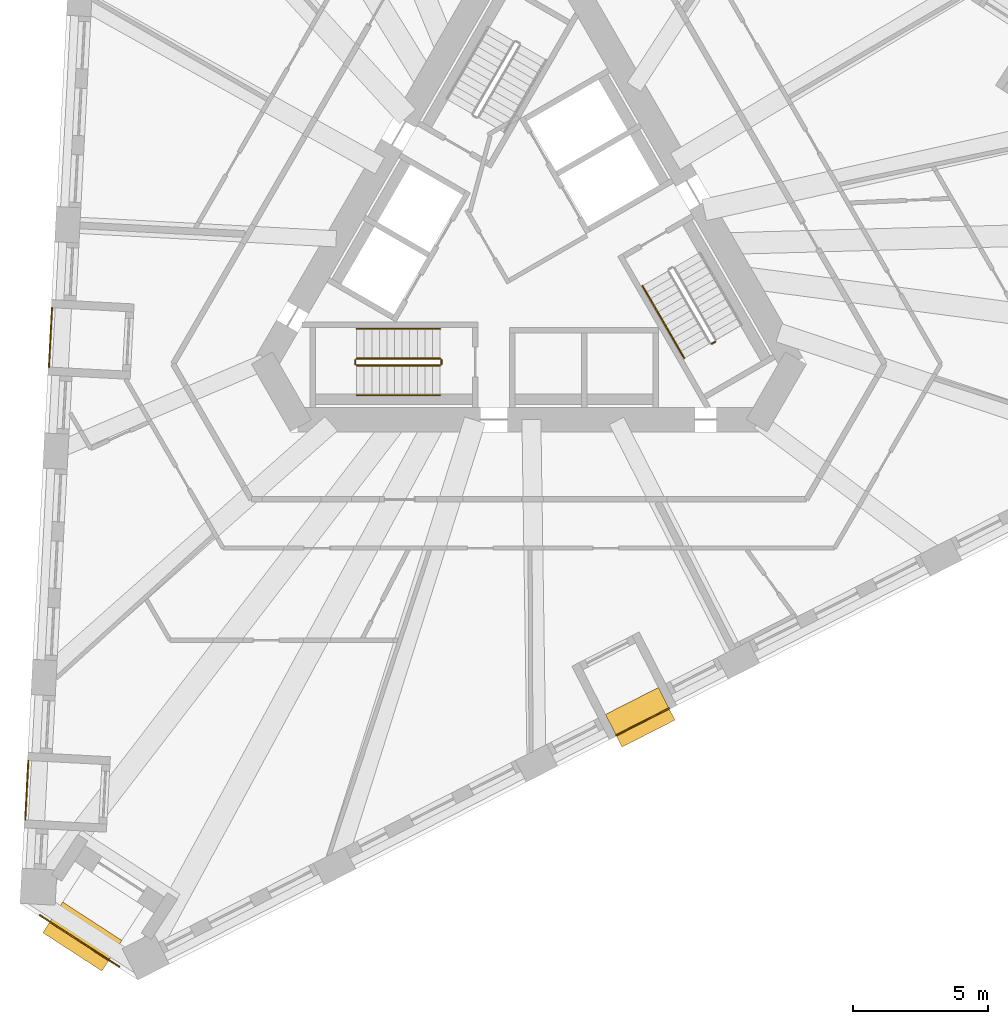
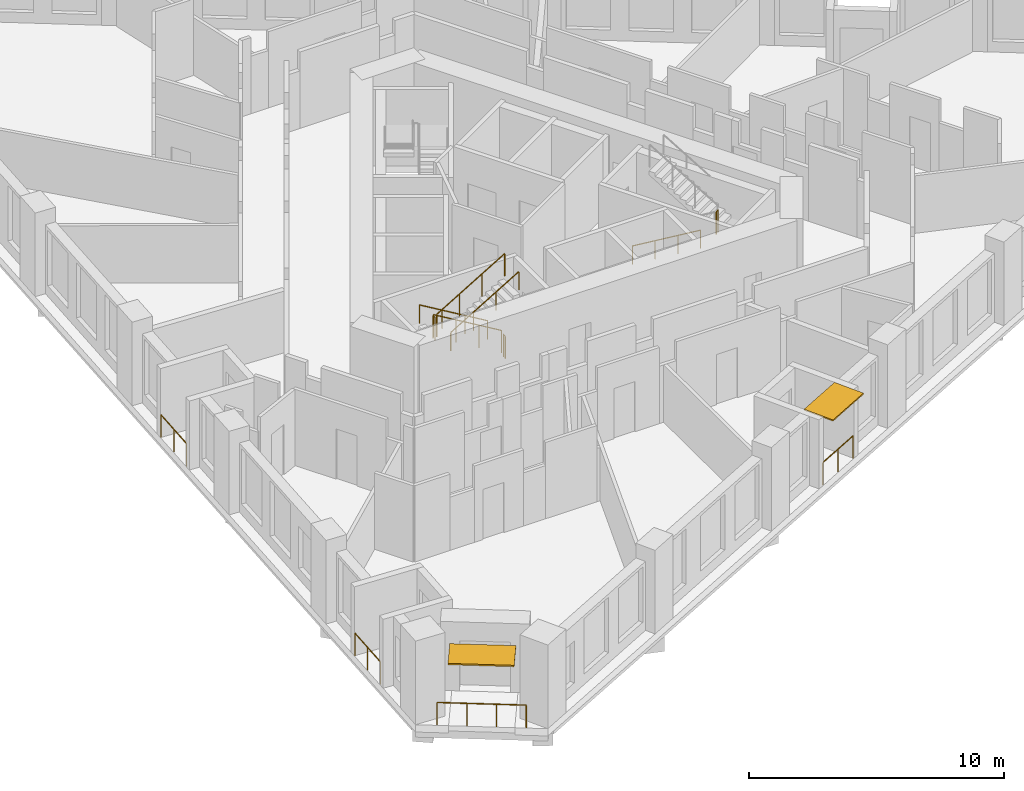
# One storey, part 9 of 12: 12 railings, 2 shading devices.
"""IFC4 building model written with IfcOpenShell, lengths in metres."""

import ifcopenshell
import ifcopenshell.guid

model = None  # the IFC model being written
_history = None  # IfcOwnerHistory: only IFC2X3 demands one
_inside = {}  # id of a spatial element -> (the spatial element, [elements in it])
_under = {}  # id of a project, library or spatial element -> (it, [spatial elements below it])
_declared = {}  # id of a project -> (the project, [libraries it declares])
_typed = {}  # id of a type object -> (the type object, [elements of that type])
_made_of = {}  # id of a material, layer set ... -> (it, [elements and type objects made of it])


def new_model(schema):
    """Start an empty IFC model of exactly this schema.

    Asked for "IFC4X3", IfcOpenShell would pick the latest addendum, in which some entities
    have other attributes; the version numbers below select the first issue.
    IFC2X3 requires an IfcOwnerHistory on every rooted entity: one is made here for all.
    """
    global model, _history
    if schema == "IFC4X3":
        model = ifcopenshell.file(schema_version=(4, 3, 0, 0))
    else:
        model = ifcopenshell.file(schema=schema)
    _inside.clear()
    _under.clear()
    _declared.clear()
    _typed.clear()
    _made_of.clear()
    _history = None
    if model.schema == "IFC2X3":
        org = make("IfcOrganization", Name="unknown")
        user = make(
            "IfcPersonAndOrganization",
            ThePerson=make("IfcPerson", FamilyName="unknown"),
            TheOrganization=org,
        )
        app = make(
            "IfcApplication",
            ApplicationDeveloper=org,
            Version="unknown",
            ApplicationFullName="unknown",
            ApplicationIdentifier="unknown",
        )
        _history = make(
            "IfcOwnerHistory",
            OwningUser=user,
            OwningApplication=app,
            ChangeAction="ADDED",
            CreationDate=0,
        )
    return model


def make(cls, **values):
    """One entity of the class cls with the attributes given. An attribute that is None is left unset."""
    return model.create_entity(
        cls, **{name: value for name, value in values.items() if value is not None}
    )


def rooted(cls, **values):
    """An entity with a GlobalId (a new one), such as an element, a storey or a relation."""
    return make(cls, GlobalId=ifcopenshell.guid.new(), OwnerHistory=_history, **values)


def si_unit(unit_type, name, prefix=None):
    """IfcSIUnit, for example si_unit("LENGTHUNIT", "METRE", prefix="MILLI")."""
    return make("IfcSIUnit", UnitType=unit_type, Prefix=prefix, Name=name)


def assignment(units):
    """IfcUnitAssignment: the units of a project."""
    return None if units is None else make("IfcUnitAssignment", Units=units)


def point(xyz):
    """IfcCartesianPoint."""
    return None if xyz is None else make("IfcCartesianPoint", Coordinates=xyz)


def direction(xyz):
    """IfcDirection."""
    return None if xyz is None else make("IfcDirection", DirectionRatios=xyz)


def frame(location, z_axis=None, x_axis=None):
    """IfcAxis2Placement3D, a coordinate frame: its origin and axes. An axis left out is left unset."""
    return make(
        "IfcAxis2Placement3D",
        Location=point(location),
        Axis=direction(z_axis),
        RefDirection=direction(x_axis),
    )


def frame_2d(location, x_axis=None):
    """IfcAxis2Placement2D, a coordinate frame in the plane: its origin and x axis."""
    return make(
        "IfcAxis2Placement2D", Location=point(location), RefDirection=direction(x_axis)
    )


def origin():
    """The frame at (0, 0, 0) with its axes left unset."""
    return frame((0.0, 0.0, 0.0))


def origin_2d():
    """The frame at (0, 0) in the plane with its x axis left unset."""
    return frame_2d((0.0, 0.0))


def place(relative_to, where):
    """IfcLocalPlacement: puts the frame where relative to a parent placement (None: the world)."""
    return make(
        "IfcLocalPlacement", PlacementRelTo=relative_to, RelativePlacement=where
    )


def context(
    kind, dimensions, precision=None, world=None, true_north=None, identifier=None
):
    """IfcGeometricRepresentationContext, for example the 3D "Model" context."""
    return make(
        "IfcGeometricRepresentationContext",
        ContextIdentifier=identifier,
        ContextType=kind,
        CoordinateSpaceDimension=dimensions,
        Precision=precision,
        WorldCoordinateSystem=world,
        TrueNorth=true_north,
    )


def subcontext(parent, identifier, kind, view, scale=None):
    """IfcGeometricRepresentationSubContext, for example "Body" below "Model"."""
    return make(
        "IfcGeometricRepresentationSubContext",
        ContextIdentifier=identifier,
        ContextType=kind,
        ParentContext=parent,
        TargetScale=scale,
        TargetView=view,
    )


def project(units=None, contexts=None):
    """IfcProject with its units and contexts."""
    return rooted(
        "IfcProject",
        Name="project",
        RepresentationContexts=contexts,
        UnitsInContext=assignment(units),
    )


def spatial(cls, under=None, at=None, **own):
    """A site, building, storey or space (cls), placed at a placement, below another one or the project."""
    s = rooted(cls, ObjectPlacement=at, **own)
    if under is not None:
        _under.setdefault(under.id(), (under, []))[1].append(s)
    return s


def profile(cls, at=None, kind="AREA", **sizes):
    """A parametric profile (cls). Its sizes go by their IFC names, for example OverallWidth=200.0."""
    return make(cls, ProfileType=kind, Position=at, **sizes)


def rectangle(**sizes):
    """IfcRectangleProfileDef."""
    return profile("IfcRectangleProfileDef", **sizes)


def circle(**sizes):
    """IfcCircleProfileDef."""
    return profile("IfcCircleProfileDef", **sizes)


def extrude(swept, where, along, depth):
    """IfcExtrudedAreaSolid: the profile swept, set in the frame where, extruded along a direction by depth."""
    return make(
        "IfcExtrudedAreaSolid",
        SweptArea=swept,
        Position=where,
        ExtrudedDirection=direction(along),
        Depth=depth,
    )


def shape(context_of_items, identifier, shape_type, items):
    """IfcShapeRepresentation: the items that make up one representation, for example the "Body"."""
    return make(
        "IfcShapeRepresentation",
        ContextOfItems=context_of_items,
        RepresentationIdentifier=identifier,
        RepresentationType=shape_type,
        Items=items,
    )


def material(Name=None, Category=None):
    """IfcMaterial."""
    return make("IfcMaterial", Name=Name, Category=Category)


def layer(
    of_material, thickness, ventilated=None, Name=None, Category=None, Priority=None
):
    """IfcMaterialLayer: one layer of a wall or slab, of a material (None: an air gap)."""
    return make(
        "IfcMaterialLayer",
        Material=of_material,
        LayerThickness=thickness,
        IsVentilated=ventilated,
        Name=Name,
        Category=Category,
        Priority=Priority,
    )


def layer_set(layers, Name=None):
    """IfcMaterialLayerSet."""
    return make("IfcMaterialLayerSet", MaterialLayers=layers, LayerSetName=Name)


def made_of(thing, what):
    """Note that an element or type object is made of a material, layer set ...; save() writes the relation."""
    if what is not None:
        _made_of.setdefault(what.id(), (what, []))[1].append(thing)
    return thing


def type_object(cls, material=None, **own):
    """A type object (cls), such as IfcWallType, which elements share."""
    return made_of(rooted(cls, **own), material)


def element(
    cls,
    number,
    at=None,
    inside=None,
    cuts=None,
    type_object=None,
    material=None,
    context=None,
    identifier="Body",
    shape_type=None,
    held_by="IfcProductDefinitionShape",
    body=None,
    shapes=None,
    **own,
):
    """One element of the class cls, such as IfcWall. Its Tag is "e" and its number.

    at: its placement. inside: the storey or other place that contains it. cuts: it is an
    opening in that element (IfcRelVoidsElement). A single representation is given by context,
    identifier, shape_type and body (its items); several are given by shapes. held_by: the class
    of the entity that holds the representations. save() writes the other relations.
    """
    e = rooted(cls, Tag="e%d" % number, ObjectPlacement=at, **own)
    if body is not None:
        shapes = [shape(context, identifier, shape_type, body)]
    if shapes is not None:
        e.Representation = make(held_by, Representations=shapes)
    if inside is not None:
        _inside.setdefault(inside.id(), (inside, []))[1].append(e)
    if cuts is not None:
        rooted(
            "IfcRelVoidsElement", RelatingBuildingElement=cuts, RelatedOpeningElement=e
        )
    if type_object is not None:
        _typed.setdefault(type_object.id(), (type_object, []))[1].append(e)
    return made_of(e, material)


def aggregate(whole, parts):
    """IfcRelAggregates: a whole, such as a stair, and the parts it consists of."""
    return rooted("IfcRelAggregates", RelatingObject=whole, RelatedObjects=parts)


def save(model, path):
    """Write the relations noted so far, then the file.

    IfcRelAggregates (storeys below a building ...), IfcRelContainedInSpatialStructure (elements
    in a storey), IfcRelDefinesByType, IfcRelAssociatesMaterial and IfcRelDeclares: one each for
    every whole, place, type object, material and project.
    """
    for whole, parts in _under.values():
        aggregate(whole, parts)
    for where, things in _inside.values():
        rooted(
            "IfcRelContainedInSpatialStructure",
            RelatedElements=things,
            RelatingStructure=where,
        )
    for kind, things in _typed.values():
        rooted("IfcRelDefinesByType", RelatedObjects=things, RelatingType=kind)
    for what, things in _made_of.values():
        rooted("IfcRelAssociatesMaterial", RelatedObjects=things, RelatingMaterial=what)
    for by, libraries in _declared.values():
        rooted("IfcRelDeclares", RelatingContext=by, RelatedDefinitions=libraries)
    model.write(path)


model = new_model("IFC4")

# Units and contexts
model_context = context("Model", 3, precision=1e-05, world=origin(), true_north=direction((0.0, 1.0)))
body_context = subcontext(model_context, "Body", "Model", "MODEL_VIEW")
ifc_project = project(units=[si_unit("LENGTHUNIT", "METRE"), si_unit("AREAUNIT", "SQUARE_METRE"), si_unit("VOLUMEUNIT", "CUBIC_METRE"), si_unit("PLANEANGLEUNIT", "RADIAN"), si_unit("MASSUNIT", "GRAM", prefix="KILO")], contexts=[model_context])

# Site, building, storey
site_placement = place(None, origin())
site = spatial("IfcSite", under=ifc_project, at=site_placement, CompositionType="ELEMENT")
building_placement = place(site_placement, origin())
building = spatial("IfcBuilding", under=site, at=building_placement, Name="Tramontana Tower", CompositionType="ELEMENT")
storey_placement = place(building_placement, frame((0.0, 0.0, 129.60009765625)))
storey = spatial("IfcBuildingStorey", under=building, at=storey_placement, Name="L29", CompositionType="ELEMENT", Elevation=129.60009765625)

# Railings
ifc_material_1 = material(Name="Laminated glass balustrade", Category="glass")
railing_type_1 = type_object("IfcRailingType", Name="GD1 Loggia glass balustrade 1100", PredefinedType="BALUSTRADE", material=ifc_material_1)
for number, where, name in (
    (1, (-17.60791015625, -2.171875, 0.0), "Loggia balustrade L29 G3S0.10"),
    (2, (-18.484130859375, -18.89208984375, 0.0), "Loggia balustrade L29 G3S0.16"),
):
    element("IfcRailing", number, at=place(storey_placement, frame(where)), inside=storey, type_object=railing_type_1, Name=name, PredefinedType="BALUSTRADE", context=body_context, shape_type="SweptSolid", body=[
        extrude(circle(Radius=0.02392578125, at=origin_2d()), frame((0.0, 0.0, 1.076171875), z_axis=(-0.052266372167, -0.998633179071, 0.0), x_axis=(0.998633179071, -0.052266372167, 0.0)), (0.0, 0.0, 1.0), 2.190673828125),
        extrude(circle(Radius=0.02099609375, at=origin_2d()), origin(), (0.0, 0.0, 1.0), 1.052001953125),
        extrude(circle(Radius=0.02099609375, at=origin_2d()), frame((-0.05712890625, -1.09375, 0.0)), (0.0, 0.0, 1.0), 1.052001953125),
        extrude(circle(Radius=0.02099609375, at=origin_2d()), frame((-0.114501953125, -2.187744140625, 0.0)), (0.0, 0.0, 1.0), 1.052001953125),
    ])
railing_1_placement = place(storey_placement, frame((3.225830078125, -17.96337890625, 0.0)))
element("IfcRailing", 3, at=railing_1_placement, inside=storey, type_object=railing_type_1, Name="Loggia balustrade L29 G3S1.7", PredefinedType="BALUSTRADE", context=body_context, shape_type="SweptSolid", body=[
    extrude(circle(Radius=0.02392578125, at=origin_2d()), frame((0.0, 0.0, 1.076171875), z_axis=(0.891013126725, 0.4539775413, 0.0), x_axis=(-0.4539775413, 0.891013126725, 0.0)), (0.0, 0.0, 1.0), 2.1904296875),
    extrude(circle(Radius=0.02099609375, at=origin_2d()), origin(), (0.0, 0.0, 1.0), 1.052001953125),
    extrude(circle(Radius=0.02099609375, at=origin_2d()), frame((0.975830078125, 0.4970703125, 0.0)), (0.0, 0.0, 1.0), 1.052001953125),
    extrude(circle(Radius=0.02099609375, at=origin_2d()), frame((1.95166015625, 0.994384765625, 0.0)), (0.0, 0.0, 1.0), 1.052001953125),
])
railing_2_placement = place(storey_placement, frame((-15.12744140625, -26.50732421875, 0.0)))
element("IfcRailing", 4, at=railing_2_placement, inside=storey, type_object=railing_type_1, Name="Corner loggia balustrade L29 K31", PredefinedType="BALUSTRADE", context=body_context, shape_type="SweptSolid", body=[
    extrude(circle(Radius=0.02392578125, at=origin_2d()), frame((0.0, 0.0, 1.076171875), z_axis=(-0.838665071449, 0.544647498784, 0.0), x_axis=(-0.544647498784, -0.838665071449, 0.0)), (0.0, 0.0, 1.0), 3.5),
    extrude(circle(Radius=0.02099609375, at=origin_2d()), origin(), (0.0, 0.0, 1.0), 1.052001953125),
    extrude(circle(Radius=0.02099609375, at=origin_2d()), frame((-0.978515625, 0.635498046875, 0.0)), (0.0, 0.0, 1.0), 1.052001953125),
    extrude(circle(Radius=0.02099609375, at=origin_2d()), frame((-1.956787109375, 1.270751953125, 0.0)), (0.0, 0.0, 1.0), 1.052001953125),
    extrude(circle(Radius=0.02099609375, at=origin_2d()), frame((-2.935302734375, 1.90625, 0.0)), (0.0, 0.0, 1.0), 1.052001953125),
])

# Shading devices
ifc_material_2 = material(Name="Precast concrete 60 MPa", Category="concrete")
ifc_layer_1 = layer(ifc_material_2, 0.06005859375)
ifc_layer_set_1 = layer_set([ifc_layer_1], Name="SS1 Stone sunshade blade 60")
shading_device_type_1 = type_object("IfcShadingDeviceType", Name="SS1 Stone sunshade blade 60", PredefinedType="USERDEFINED", material=ifc_layer_set_1)
shading_device_1_placement = place(storey_placement, frame((4.113037109375, -17.29248046875, 3.239990234375), z_axis=(0.0, 0.0, 1.0), x_axis=(0.891006524188, 0.45399049974, 0.0)))
element("IfcShadingDevice", 5, at=shading_device_1_placement, inside=storey, type_object=shading_device_type_1, Name="Sunshade L29 G3S1.7", ObjectType="SUNSHADE", PredefinedType="USERDEFINED", context=body_context, shape_type="SweptSolid", body=[
    extrude(rectangle(XDim=2.1904296875, YDim=1.35009765625, at=origin_2d()), origin(), (0.0, 0.0, 1.0), 0.06005859375),
])
ifc_material_3 = material(Name="Precast concrete 60 MPa", Category="concrete")
ifc_layer_2 = layer(ifc_material_3, 0.070068359375)
ifc_layer_set_2 = layer_set([ifc_layer_2], Name="SS2 Stone sunshade blade 70")
shading_device_type_2 = type_object("IfcShadingDeviceType", Name="SS2 Stone sunshade blade 70", PredefinedType="USERDEFINED", material=ifc_layer_set_2)
shading_device_2_placement = place(storey_placement, frame((-16.489013671875, -25.390869140625, 3.22998046875), z_axis=(0.0, 0.0, 1.0), x_axis=(-0.838670567945, 0.544639035015, 0.0)))
element("IfcShadingDevice", 6, at=shading_device_2_placement, inside=storey, type_object=shading_device_type_2, Name="Corner sunshade L29 K31", ObjectType="SUNSHADE", PredefinedType="USERDEFINED", context=body_context, shape_type="SweptSolid", body=[
    extrude(rectangle(XDim=2.60009765625, YDim=1.35009765625, at=origin_2d()), origin(), (0.0, 0.0, 1.0), 0.070068359375),
])

# Railings
ifc_material_4 = material(Name="Painted steel", Category="steel")
railing_type_2 = type_object("IfcRailingType", Name="STAIR GUARD 1100", PredefinedType="GUARDRAIL", material=ifc_material_4)
railing_3_placement = place(storey_placement, frame((-3.280029296875, -4.050048828125, 0.16650390625)))
element("IfcRailing", 7, at=railing_3_placement, inside=storey, type_object=railing_type_2, Name="L29 ST2 stair guard 1", PredefinedType="GUARDRAIL", context=body_context, shape_type="SweptSolid", body=[
    extrude(circle(Radius=0.02392578125, at=origin_2d()), frame((0.0, 0.0, 1.076171875), z_axis=(-0.85927862911, 0.0, 0.511507807912), x_axis=(0.0, -1.0, 0.0)), (0.0, 0.0, 1.0), 3.58447265625),
    extrude(circle(Radius=0.02099609375, at=origin_2d()), origin(), (0.0, 0.0, 1.0), 1.052001953125),
    extrude(circle(Radius=0.02099609375, at=origin_2d()), frame((-1.026611328125, 0.0, 0.611083984375)), (0.0, 0.0, 1.0), 1.052001953125),
    extrude(circle(Radius=0.02099609375, at=origin_2d()), frame((-2.053466796875, 0.0, 1.222412109375)), (0.0, 0.0, 1.0), 1.052001953125),
    extrude(circle(Radius=0.02099609375, at=origin_2d()), frame((-3.080078125, 0.0, 1.83349609375)), (0.0, 0.0, 1.0), 1.052001953125),
])
railing_4_placement = place(storey_placement, frame((-6.360107421875, -4.300048828125, 2.16650390625)))
element("IfcRailing", 8, at=railing_4_placement, inside=storey, type_object=railing_type_2, Name="L29 ST2 stair guard 2", PredefinedType="GUARDRAIL", context=body_context, shape_type="SweptSolid", body=[
    extrude(circle(Radius=0.02392578125, at=origin_2d()), frame((0.0, 0.0, 1.076171875), z_axis=(0.85927862911, 0.0, 0.511507807912), x_axis=(0.0, 1.0, 0.0)), (0.0, 0.0, 1.0), 3.58447265625),
    extrude(circle(Radius=0.02099609375, at=origin_2d()), origin(), (0.0, 0.0, 1.0), 1.052001953125),
    extrude(circle(Radius=0.02099609375, at=origin_2d()), frame((1.026611328125, 0.0, 0.611083984375)), (0.0, 0.0, 1.0), 1.052001953125),
    extrude(circle(Radius=0.02099609375, at=origin_2d()), frame((2.053466796875, 0.0, 1.222412109375)), (0.0, 0.0, 1.0), 1.052001953125),
    extrude(circle(Radius=0.02099609375, at=origin_2d()), frame((3.080078125, 0.0, 1.83349609375)), (0.0, 0.0, 1.0), 1.052001953125),
])
for number, where, name in (
    (9, (-6.409912109375, -4.10009765625, 2.0), "L29 ST2 stair guard 3"),
    (10, (-3.22998046875, -4.10009765625, 0.0), "L29 ST2 stair guard 4"),
):
    element("IfcRailing", number, at=place(storey_placement, frame(where)), inside=storey, type_object=railing_type_2, Name=name, PredefinedType="GUARDRAIL", context=body_context, shape_type="SweptSolid", body=[
        extrude(circle(Radius=0.02392578125, at=origin_2d()), frame((0.0, 0.0, 1.076171875), z_axis=(0.0, -1.0, 0.0), x_axis=(1.0, 0.0, 0.0)), (0.0, 0.0, 1.0), 0.14990234375),
        extrude(circle(Radius=0.02099609375, at=origin_2d()), origin(), (0.0, 0.0, 1.0), 1.052001953125),
        extrude(circle(Radius=0.02099609375, at=origin_2d()), frame((0.0, -0.14990234375, 0.0)), (0.0, 0.0, 1.0), 1.052001953125),
    ])
railing_5_placement = place(storey_placement, frame((6.755615234375, -3.501220703125, 2.0)))
element("IfcRailing", 11, at=railing_5_placement, inside=storey, type_object=railing_type_2, Name="L29 ST3 stair guard 3", PredefinedType="GUARDRAIL", context=body_context, shape_type="SweptSolid", body=[
    extrude(circle(Radius=0.02392578125, at=origin_2d()), frame((0.0, 0.0, 1.076171875), z_axis=(0.866131372301, 0.499816412211, 0.0), x_axis=(-0.499816412211, 0.866131372301, 0.0)), (0.0, 0.0, 1.0), 0.14990234375),
    extrude(circle(Radius=0.02099609375, at=origin_2d()), origin(), (0.0, 0.0, 1.0), 1.052001953125),
    extrude(circle(Radius=0.02099609375, at=origin_2d()), frame((0.1298828125, 0.074951171875, 0.0)), (0.0, 0.0, 1.0), 1.052001953125),
])
ifc_material_5 = material(Name="Painted steel", Category="steel")
railing_type_3 = type_object("IfcRailingType", Name="STAIR HANDRAIL 900", PredefinedType="HANDRAIL", material=ifc_material_5)
railing_6_placement = place(storey_placement, frame((-3.280029296875, -2.949951171875, 0.16650390625)))
element("IfcRailing", 12, at=railing_6_placement, inside=storey, type_object=railing_type_3, Name="L29 ST2 stair handrail 1", PredefinedType="HANDRAIL", context=body_context, shape_type="SweptSolid", body=[
    extrude(circle(Radius=0.02392578125, at=origin_2d()), frame((0.0, 0.0, 0.8759765625), z_axis=(-0.85927862911, 0.0, 0.511507807912), x_axis=(0.0, -1.0, 0.0)), (0.0, 0.0, 1.0), 3.58447265625),
    extrude(circle(Radius=0.02099609375, at=origin_2d()), origin(), (0.0, 0.0, 1.0), 0.851806640625),
    extrude(circle(Radius=0.02099609375, at=origin_2d()), frame((-1.026611328125, 0.0, 0.611083984375)), (0.0, 0.0, 1.0), 0.851806640625),
    extrude(circle(Radius=0.02099609375, at=origin_2d()), frame((-2.053466796875, 0.0, 1.222412109375)), (0.0, 0.0, 1.0), 0.851806640625),
    extrude(circle(Radius=0.02099609375, at=origin_2d()), frame((-3.080078125, 0.0, 1.83349609375)), (0.0, 0.0, 1.0), 0.851806640625),
])
railing_7_placement = place(storey_placement, frame((-6.360107421875, -5.39990234375, 2.16650390625)))
element("IfcRailing", 13, at=railing_7_placement, inside=storey, type_object=railing_type_3, Name="L29 ST2 stair handrail 2", PredefinedType="HANDRAIL", context=body_context, shape_type="SweptSolid", body=[
    extrude(circle(Radius=0.02392578125, at=origin_2d()), frame((0.0, 0.0, 0.8759765625), z_axis=(0.85927862911, 0.0, 0.511507807912), x_axis=(0.0, 1.0, 0.0)), (0.0, 0.0, 1.0), 3.58447265625),
    extrude(circle(Radius=0.02099609375, at=origin_2d()), origin(), (0.0, 0.0, 1.0), 0.851806640625),
    extrude(circle(Radius=0.02099609375, at=origin_2d()), frame((1.026611328125, 0.0, 0.611083984375)), (0.0, 0.0, 1.0), 0.851806640625),
    extrude(circle(Radius=0.02099609375, at=origin_2d()), frame((2.053466796875, 0.0, 1.222412109375)), (0.0, 0.0, 1.0), 0.851806640625),
    extrude(circle(Radius=0.02099609375, at=origin_2d()), frame((3.080078125, 0.0, 1.83349609375)), (0.0, 0.0, 1.0), 0.851806640625),
])
railing_8_placement = place(storey_placement, frame((4.19482421875, -1.365478515625, 0.16650390625)))
element("IfcRailing", 14, at=railing_8_placement, inside=storey, type_object=railing_type_3, Name="L29 ST3 stair handrail 1", PredefinedType="HANDRAIL", context=body_context, shape_type="SweptSolid", body=[
    extrude(circle(Radius=0.02392578125, at=origin_2d()), frame((0.0, 0.0, 0.8759765625), z_axis=(0.429634447492, -0.7441639146, 0.511502013422), x_axis=(0.866029832698, 0.499992328818, 0.0)), (0.0, 0.0, 1.0), 3.58447265625),
    extrude(circle(Radius=0.02099609375, at=origin_2d()), origin(), (0.0, 0.0, 1.0), 0.851806640625),
    extrude(circle(Radius=0.02099609375, at=origin_2d()), frame((0.513427734375, -0.88916015625, 0.611083984375)), (0.0, 0.0, 1.0), 0.851806640625),
    extrude(circle(Radius=0.02099609375, at=origin_2d()), frame((1.026611328125, -1.7783203125, 1.222412109375)), (0.0, 0.0, 1.0), 0.851806640625),
    extrude(circle(Radius=0.02099609375, at=origin_2d()), frame((1.5400390625, -2.66748046875, 1.83349609375)), (0.0, 0.0, 1.0), 0.851806640625),
])

save(model, "model.ifc")
